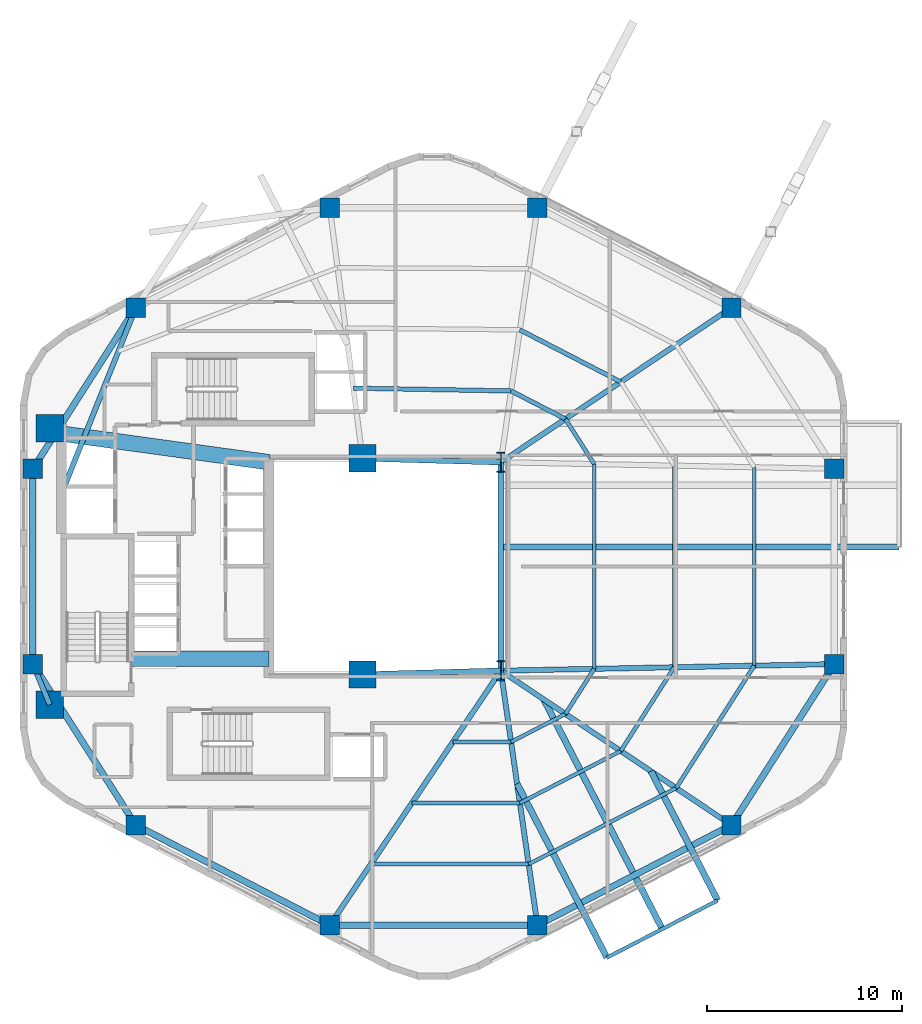
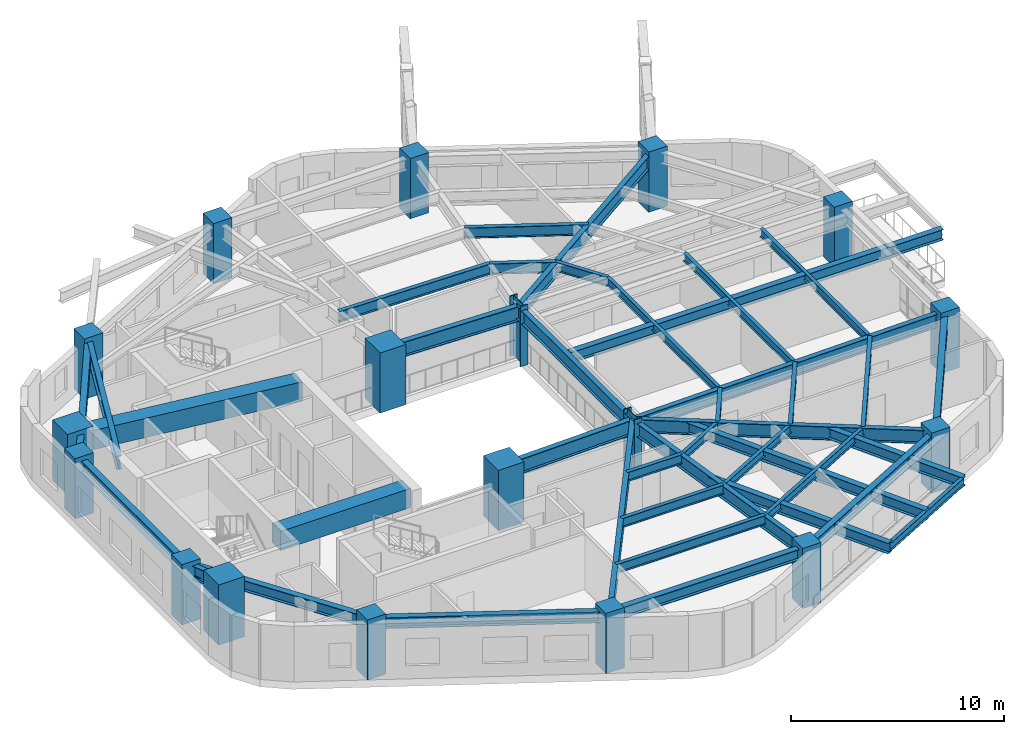
# One storey, part 1 of 9: 40 beams, 18 columns.
"""IFC4 building model written with IfcOpenShell, lengths in metres."""

from ifc_helpers import new_model, si_unit, direction, frame, origin, origin_2d, place, context, subcontext, project, spatial, rectangle, i_section, extrude, material, material_profile, profile_set, type_object, element, save


model = new_model("IFC4")

# Units and contexts
model_context = context("Model", 3, precision=1e-05, world=origin(), true_north=direction((0.0, 1.0)))
body_context = subcontext(model_context, "Body", "Model", "MODEL_VIEW")
ifc_project = project(units=[si_unit("LENGTHUNIT", "METRE"), si_unit("AREAUNIT", "SQUARE_METRE"), si_unit("VOLUMEUNIT", "CUBIC_METRE"), si_unit("PLANEANGLEUNIT", "RADIAN"), si_unit("MASSUNIT", "GRAM", prefix="KILO"), si_unit("THERMODYNAMICTEMPERATUREUNIT", "KELVIN"), si_unit("POWERUNIT", "WATT")], contexts=[model_context])

# Site, building, storey
site_placement = place(None, origin())
site = spatial("IfcSite", under=ifc_project, at=site_placement, CompositionType="ELEMENT")
building_placement = place(site_placement, origin())
building = spatial("IfcBuilding", under=site, at=building_placement, Name="Skarre Station Tower", CompositionType="ELEMENT")
storey_placement = place(building_placement, frame((0.0, 0.0, 101.550048828125)))
storey = spatial("IfcBuildingStorey", under=building, at=storey_placement, Name="L26", CompositionType="ELEMENT", Elevation=101.550048828125)

# Columns
ifc_material_1 = material(Name="Concrete C60/75", Category="concrete")
ifc_material_profile_1 = material_profile(ifc_material_1, rectangle(XDim=1.0, YDim=1.0, at=origin_2d()), Name="Concrete C60/75")
ifc_profile_set_1 = profile_set([ifc_material_profile_1], Name="Concrete C60/75")
column_type_1 = type_object("IfcColumnType", Name="RC Structural Column RC-COL-1000X1000", PredefinedType="COLUMN", material=ifc_profile_set_1)
for number, where, z_axis, x_axis, name in (
    (1, (51.291015625, 37.277099609375, 0.0), (0.0, 0.0, 1.0), (1.0, 0.0, 0.0), "L26 Zone 2 Perimeter Column F0C1"),
    (2, (41.3310546875, 42.41796875, 0.0), (0.0, 0.0, 1.0), (1.0, 0.0, 0.0), "L26 Zone 2 Perimeter Column F0C2"),
    (3, (30.6689453125, 42.41796875, 0.0), (0.0, 0.0, 1.0), (1.0, 0.0, 0.0), "L26 Zone 2 Perimeter Column F1C1"),
    (4, (20.708984375, 37.277099609375, 0.0), (0.0, 0.0, 1.0), (1.0, 0.0, 0.0), "L26 Zone 2 Perimeter Column F1C2"),
    (5, (15.431884765625, 29.010986328125, 0.0), (0.0, 0.0, 1.0), (1.0, 0.0, 0.0), "L26 Zone 2 Perimeter Column F2C1"),
    (6, (15.431884765625, 18.989013671875, 0.0), (0.0, 0.0, 1.0), (1.0, 0.0, 0.0), "L26 Zone 2 Perimeter Column F2C2"),
    (7, (20.708984375, 10.722900390625, 0.0), (0.0, 0.0, 1.0), (1.0, 0.0, 0.0), "L26 Zone 2 Perimeter Column F3C1"),
    (8, (30.6689453125, 5.58203125, 0.0), (0.0, 0.0, 1.0), (1.0, 0.0, 0.0), "L26 Zone 2 Perimeter Column F3C2"),
    (9, (41.3310546875, 5.58203125, 0.0), (0.0, 0.0, 1.0), (1.0, 0.0, 0.0), "L26 Zone 2 Perimeter Column F4C1"),
    (10, (51.291015625, 10.722900390625, 0.0), (0.0, 0.0, 1.0), (1.0, 0.0, 0.0), "L26 Zone 2 Perimeter Column F4C2"),
    (11, (56.568115234375, 18.989013671875, 0.0), (0.0, 0.0, 1.0), (1.0, 0.0, 0.0), "L26 Zone 2 Perimeter Column F5C1"),
    (12, (56.568115234375, 29.010986328125, 0.0), (0.0, 0.0, 1.0), (1.0, 0.0, 0.0), "L26 Zone 2 Perimeter Column F5C2"),
):
    element("IfcColumn", number, at=place(storey_placement, frame(where, z_axis=z_axis, x_axis=x_axis)), inside=storey, type_object=column_type_1, Name=name, PredefinedType="COLUMN", context=body_context, shape_type="SweptSolid", body=[
        extrude(rectangle(XDim=1.0, YDim=1.0, at=origin_2d()), origin(), (0.0, 0.0, 1.0), 3.449951171875),
    ])
ifc_material_2 = material(Name="Concrete C70/85", Category="concrete")
ifc_material_profile_2 = material_profile(ifc_material_2, rectangle(XDim=1.39990234375, YDim=1.39990234375, at=origin_2d()), Name="Concrete C70/85")
ifc_profile_set_2 = profile_set([ifc_material_profile_2], Name="Concrete C70/85")
column_type_2 = type_object("IfcColumnType", Name="RC Structural Column RC-COL-1400X1400", PredefinedType="COLUMN", material=ifc_profile_set_2)
for number, where, z_axis, x_axis, name in (
    (13, (16.300048828125, 16.89990234375, 0.0), (0.0, 0.0, 1.0), (1.0, 0.0, 0.0), "L26 Core Column CC-SW"),
    (14, (16.300048828125, 31.10009765625, 0.0), (0.0, 0.0, 1.0), (1.0, 0.0, 0.0), "L26 Core Column CC-NW"),
    (15, (32.35009765625, 18.449951171875, 0.0), (0.0, 0.0, 1.0), (1.0, 0.0, 0.0), "L26 Core Column CC-SE"),
    (16, (32.35009765625, 29.550048828125, 0.0), (0.0, 0.0, 1.0), (1.0, 0.0, 0.0), "L26 Core Column CC-NE"),
):
    element("IfcColumn", number, at=place(storey_placement, frame(where, z_axis=z_axis, x_axis=x_axis)), inside=storey, type_object=column_type_2, Name=name, PredefinedType="COLUMN", context=body_context, shape_type="SweptSolid", body=[
        extrude(rectangle(XDim=1.39990234375, YDim=1.39990234375, at=origin_2d()), origin(), (0.0, 0.0, 1.0), 3.449951171875),
    ])
ifc_material_3 = material(Name="Steel ASTM A913 Grade 65", Category="steel")
ifc_material_profile_3 = material_profile(ifc_material_3, i_section(OverallWidth=0.409912109375, OverallDepth=1.041015625, WebThickness=0.031005859375, FlangeThickness=0.055908203125, at=origin_2d()), Name="Steel ASTM A913 Grade 65")
ifc_profile_set_3 = profile_set([ifc_material_profile_3], Name="Steel ASTM A913 Grade 65")
column_type_3 = type_object("IfcColumnType", Name="Steel Column W40X397", PredefinedType="COLUMN", material=ifc_profile_set_3)
for number, where, z_axis, x_axis, name in (
    (17, (39.449951171875, 18.64990234375, 0.0), (0.0, 0.0, 1.0), (1.0, 0.0, 0.0), "L26 Atrium Spine Column AC-SE"),
    (18, (39.449951171875, 29.35009765625, 0.0), (0.0, 0.0, 1.0), (1.0, 0.0, 0.0), "L26 Atrium Spine Column AC-NE"),
):
    element("IfcColumn", number, at=place(storey_placement, frame(where, z_axis=z_axis, x_axis=x_axis)), inside=storey, type_object=column_type_3, Name=name, PredefinedType="COLUMN", context=body_context, shape_type="SweptSolid", body=[
        extrude(i_section(OverallWidth=0.409912109375, OverallDepth=1.041015625, WebThickness=0.031005859375, FlangeThickness=0.055908203125, at=origin_2d()), origin(), (0.0, 0.0, 1.0), 3.449951171875),
    ])

# Beams
ifc_material_profile_4 = material_profile(ifc_material_2, rectangle(XDim=0.800048828125, YDim=1.10009765625, at=origin_2d()), Name="Concrete C70/85")
ifc_profile_set_4 = profile_set([ifc_material_profile_4], Name="Concrete C70/85")
beam_type_1 = type_object("IfcBeamType", Name="RC Core Coupling Lintel 800x1100", PredefinedType="LINTEL", material=ifc_profile_set_4)
beam_1_placement = place(storey_placement, frame((20.489990234375, 19.260009765625, 2.639892578125), z_axis=(1.0, 0.0, 0.0), x_axis=(0.0, 1.0, 0.0)))
element("IfcBeam", 19, at=beam_1_placement, inside=storey, type_object=beam_type_1, Name="L26 South Core Coupling Lintel", PredefinedType="LINTEL", context=body_context, shape_type="SweptSolid", body=[
    extrude(rectangle(XDim=0.800048828125, YDim=1.10009765625, at=origin_2d()), origin(), (0.0, 0.0, 1.0), 7.06005859375),
])
beam_2_placement = place(storey_placement, frame((17.050048828125, 30.800048828125, 2.639892578125), z_axis=(0.990599723633, -0.136792498109, 0.0), x_axis=(0.136792498109, 0.990599723633, 0.0)))
element("IfcBeam", 20, at=beam_2_placement, inside=storey, type_object=beam_type_1, Name="L26 North Core Coupling Lintel", PredefinedType="LINTEL", context=body_context, shape_type="SweptSolid", body=[
    extrude(rectangle(XDim=0.800048828125, YDim=1.10009765625, at=origin_2d()), origin(), (0.0, 0.0, 1.0), 10.599609375),
])
ifc_material_4 = material(Name="Steel ASTM A992 Grade 50", Category="steel")
ifc_material_profile_5 = material_profile(ifc_material_4, i_section(OverallWidth=0.323974609375, OverallDepth=0.611083984375, WebThickness=0.012939453125, FlangeThickness=0.01904296875, at=origin_2d()), Name="Steel ASTM A992 Grade 50")
ifc_profile_set_5 = profile_set([ifc_material_profile_5], Name="Steel ASTM A992 Grade 50")
beam_type_2 = type_object("IfcBeamType", Name="Steel Beam W24X104", PredefinedType="BEAM", material=ifc_profile_set_5)
beam_3_placement = place(storey_placement, frame((39.449951171875, 25.001953125, 2.780029296875), z_axis=(1.0, 0.0, 0.0), x_axis=(0.0, 1.0, 0.0)))
element("IfcBeam", 21, at=beam_3_placement, inside=storey, type_object=beam_type_2, Name="L26 SG-1-L27 Outrigger Beam 2", PredefinedType="BEAM", context=body_context, shape_type="SweptSolid", body=[
    extrude(i_section(OverallWidth=0.323974609375, OverallDepth=0.611083984375, WebThickness=0.012939453125, FlangeThickness=0.01904296875, at=origin_2d()), origin(), (0.0, 0.0, 1.0), 20.427978515625),
])
beam_4_placement = place(storey_placement, frame((41.655029296875, 17.174072265625, 2.800048828125), z_axis=(0.458663551569, -0.888610008081, 0.0), x_axis=(0.888610008081, 0.458663551569, 0.0)))
element("IfcBeam", 22, at=beam_4_placement, inside=storey, type_object=beam_type_2, Name="L26 TB-L27-F4 Center Outrigger Beam", PredefinedType="BEAM", context=body_context, shape_type="SweptSolid", body=[
    extrude(i_section(OverallWidth=0.323974609375, OverallDepth=0.611083984375, WebThickness=0.012939453125, FlangeThickness=0.01904296875, at=origin_2d()), origin(), (0.0, 0.0, 1.0), 13.262451171875),
])
beam_5_placement = place(storey_placement, frame((40.284912109375, 12.85009765625, 2.800048828125), z_axis=(0.458683146358, -0.888599893792, 0.0), x_axis=(0.888599893792, 0.458683146358, 0.0)))
element("IfcBeam", 23, at=beam_5_placement, inside=storey, type_object=beam_type_2, Name="L26 TB-L27-F4 Outrigger Beam 1", PredefinedType="BEAM", context=body_context, shape_type="SweptSolid", body=[
    extrude(i_section(OverallWidth=0.323974609375, OverallDepth=0.611083984375, WebThickness=0.012939453125, FlangeThickness=0.01904296875, at=origin_2d()), origin(), (0.0, 0.0, 1.0), 10.048583984375),
])
beam_6_placement = place(storey_placement, frame((47.156982421875, 13.490966796875, 2.800048828125), z_axis=(0.458648750807, -0.888617647463, 0.0), x_axis=(0.888617647463, 0.458648750807, 0.0)))
element("IfcBeam", 24, at=beam_6_placement, inside=storey, type_object=beam_type_2, Name="L26 TB-L27-F4 Outrigger Beam 2", PredefinedType="BEAM", context=body_context, shape_type="SweptSolid", body=[
    extrude(i_section(OverallWidth=0.323974609375, OverallDepth=0.611083984375, WebThickness=0.012939453125, FlangeThickness=0.01904296875, at=origin_2d()), origin(), (0.0, 0.0, 1.0), 7.465576171875),
])
ifc_material_profile_6 = material_profile(ifc_material_4, i_section(OverallWidth=0.26806640625, OverallDepth=0.77001953125, WebThickness=0.01611328125, FlangeThickness=0.02490234375, at=origin_2d()), Name="Steel ASTM A992 Grade 50")
ifc_profile_set_6 = profile_set([ifc_material_profile_6], Name="Steel ASTM A992 Grade 50")
beam_type_3 = type_object("IfcBeamType", Name="Steel Beam W30X132", PredefinedType="BEAM", material=ifc_profile_set_6)
beam_7_placement = place(storey_placement, frame((39.449951171875, 18.64990234375, 2.804931640625), z_axis=(0.0, 1.0, 0.0), x_axis=(-1.0, 0.0, 0.0)))
element("IfcBeam", 25, at=beam_7_placement, inside=storey, type_object=beam_type_3, Name="L26 Atrium East Edge Girder", PredefinedType="BEAM", context=body_context, shape_type="SweptSolid", body=[
    extrude(i_section(OverallWidth=0.26806640625, OverallDepth=0.77001953125, WebThickness=0.01611328125, FlangeThickness=0.02490234375, at=origin_2d()), origin(), (0.0, 0.0, 1.0), 10.7001953125),
])
beam_8_placement = place(storey_placement, frame((39.449951171875, 29.35009765625, 2.804931640625), z_axis=(0.830981218317, 0.556300471692, 0.0), x_axis=(-0.556300471692, 0.830981218317, 0.0)))
element("IfcBeam", 26, at=beam_8_placement, inside=storey, type_object=beam_type_3, Name="L26 Radial Floor Girder F0C1", PredefinedType="BEAM", context=body_context, shape_type="SweptSolid", body=[
    extrude(i_section(OverallWidth=0.26806640625, OverallDepth=0.77001953125, WebThickness=0.01611328125, FlangeThickness=0.02490234375, at=origin_2d()), origin(), (0.0, 0.0, 1.0), 14.24951171875),
])
beam_9_placement = place(storey_placement, frame((17.010009765625, 28.0, 2.804931640625), z_axis=(0.370366288946, 0.928885790618, 0.0), x_axis=(-0.928885790618, 0.370366288946, 0.0)))
element("IfcBeam", 27, at=beam_9_placement, inside=storey, type_object=beam_type_3, Name="L26 Radial Floor Girder F1C2", PredefinedType="BEAM", context=body_context, shape_type="SweptSolid", body=[
    extrude(i_section(OverallWidth=0.26806640625, OverallDepth=0.77001953125, WebThickness=0.01611328125, FlangeThickness=0.02490234375, at=origin_2d()), origin(), (0.0, 0.0, 1.0), 9.9873046875),
])
beam_10_placement = place(storey_placement, frame((16.300048828125, 16.89990234375, 2.804931640625), z_axis=(-0.383749333092, 0.923437301256, 0.0), x_axis=(-0.923437301256, -0.383749333092, 0.0)))
element("IfcBeam", 28, at=beam_10_placement, inside=storey, type_object=beam_type_3, Name="L26 Radial Floor Girder F2C2", PredefinedType="BEAM", context=body_context, shape_type="SweptSolid", body=[
    extrude(i_section(OverallWidth=0.26806640625, OverallDepth=0.77001953125, WebThickness=0.01611328125, FlangeThickness=0.02490234375, at=origin_2d()), origin(), (0.0, 0.0, 1.0), 2.26220703125),
])
beam_11_placement = place(storey_placement, frame((39.449951171875, 18.64990234375, 2.804931640625), z_axis=(-0.55773464691, -0.830019315219, 0.0), x_axis=(0.830019315219, -0.55773464691, 0.0)))
element("IfcBeam", 29, at=beam_11_placement, inside=storey, type_object=beam_type_3, Name="L26 Radial Floor Girder F3C2", PredefinedType="BEAM", context=body_context, shape_type="SweptSolid", body=[
    extrude(i_section(OverallWidth=0.26806640625, OverallDepth=0.77001953125, WebThickness=0.01611328125, FlangeThickness=0.02490234375, at=origin_2d()), origin(), (0.0, 0.0, 1.0), 15.744140625),
])
beam_12_placement = place(storey_placement, frame((39.449951171875, 18.64990234375, 2.804931640625), z_axis=(0.142480121776, -0.989797663616, 0.0), x_axis=(0.989797663616, 0.142480121776, 0.0)))
element("IfcBeam", 30, at=beam_12_placement, inside=storey, type_object=beam_type_3, Name="L26 Radial Floor Girder F4C1", PredefinedType="BEAM", context=body_context, shape_type="SweptSolid", body=[
    extrude(i_section(OverallWidth=0.26806640625, OverallDepth=0.77001953125, WebThickness=0.01611328125, FlangeThickness=0.02490234375, at=origin_2d()), origin(), (0.0, 0.0, 1.0), 13.20263671875),
])
beam_13_placement = place(storey_placement, frame((39.449951171875, 18.64990234375, 2.804931640625), z_axis=(0.830981218317, -0.556300471692, 0.0), x_axis=(0.556300471692, 0.830981218317, 0.0)))
element("IfcBeam", 31, at=beam_13_placement, inside=storey, type_object=beam_type_3, Name="L26 Radial Floor Girder F4C2", PredefinedType="BEAM", context=body_context, shape_type="SweptSolid", body=[
    extrude(i_section(OverallWidth=0.26806640625, OverallDepth=0.77001953125, WebThickness=0.01611328125, FlangeThickness=0.02490234375, at=origin_2d()), origin(), (0.0, 0.0, 1.0), 14.24951171875),
])
beam_14_placement = place(storey_placement, frame((39.449951171875, 18.64990234375, 2.804931640625), z_axis=(0.999803839107, 0.019806143142, 0.0), x_axis=(-0.019806143142, 0.999803839107, 0.0)))
element("IfcBeam", 32, at=beam_14_placement, inside=storey, type_object=beam_type_3, Name="L26 Radial Floor Girder F5C1", PredefinedType="BEAM", context=body_context, shape_type="SweptSolid", body=[
    extrude(i_section(OverallWidth=0.26806640625, OverallDepth=0.77001953125, WebThickness=0.01611328125, FlangeThickness=0.02490234375, at=origin_2d()), origin(), (0.0, 0.0, 1.0), 17.12158203125),
])
ifc_material_profile_7 = material_profile(ifc_material_4, i_section(OverallWidth=0.2919921875, OverallDepth=0.85888671875, WebThickness=0.01708984375, FlangeThickness=0.031005859375, at=origin_2d()), Name="Steel ASTM A992 Grade 50")
ifc_profile_set_7 = profile_set([ifc_material_profile_7], Name="Steel ASTM A992 Grade 50")
beam_type_4 = type_object("IfcBeamType", Name="Steel Beam W33X169", PredefinedType="BEAM", material=ifc_profile_set_7)
for number, where, z_axis, x_axis, name in (
    (33, (32.35009765625, 18.449951171875, 2.760009765625), (0.999603666405, 0.028151556095, 0.0), (-0.028151556095, 0.999603666405, 0.0), "L26 Atrium South Edge Girder"),
    (34, (32.35009765625, 29.550048828125, 2.760009765625), (0.999603666405, -0.028151556095, 0.0), (0.028151556095, 0.999603666405, 0.0), "L26 Atrium North Edge Girder"),
):
    element("IfcBeam", number, at=place(storey_placement, frame(where, z_axis=z_axis, x_axis=x_axis)), inside=storey, type_object=beam_type_4, Name=name, PredefinedType="BEAM", context=body_context, shape_type="SweptSolid", body=[
        extrude(i_section(OverallWidth=0.2919921875, OverallDepth=0.85888671875, WebThickness=0.01708984375, FlangeThickness=0.031005859375, at=origin_2d()), origin(), (0.0, 0.0, 1.0), 7.102783203125),
    ])
ifc_material_profile_8 = material_profile(ifc_material_4, i_section(OverallWidth=0.19091796875, OverallDepth=0.45703125, WebThickness=0.009033203125, FlangeThickness=0.013916015625, at=origin_2d()), Name="Steel ASTM A992 Grade 50")
ifc_profile_set_8 = profile_set([ifc_material_profile_8], Name="Steel ASTM A992 Grade 50")
beam_type_5 = type_object("IfcBeamType", Name="Steel Joist W18X50", PredefinedType="JOIST", material=ifc_profile_set_8)
beam_15_placement = place(storey_placement, frame((39.97705078125, 14.990966796875, 2.9609375), z_axis=(0.88861042596, 0.458662741975, 0.0), x_axis=(-0.458662741975, 0.88861042596, 0.0)))
element("IfcBeam", 35, at=beam_15_placement, inside=storey, type_object=beam_type_5, Name="L26 Auxiliary Composite Joist 13", PredefinedType="JOIST", context=body_context, shape_type="SweptSolid", body=[
    extrude(i_section(OverallWidth=0.19091796875, OverallDepth=0.45703125, WebThickness=0.009033203125, FlangeThickness=0.013916015625, at=origin_2d()), origin(), (0.0, 0.0, 1.0), 3.13720703125),
])
beam_16_placement = place(storey_placement, frame((40.427978515625, 11.85498046875, 2.9609375), z_axis=(0.888614598919, 0.458654657218, 0.0), x_axis=(-0.458654657218, 0.888614598919, 0.0)))
element("IfcBeam", 36, at=beam_16_placement, inside=storey, type_object=beam_type_5, Name="L26 Auxiliary Composite Joist 14", PredefinedType="JOIST", context=body_context, shape_type="SweptSolid", body=[
    extrude(i_section(OverallWidth=0.19091796875, OverallDepth=0.45703125, WebThickness=0.009033203125, FlangeThickness=0.013916015625, at=origin_2d()), origin(), (0.0, 0.0, 1.0), 5.828125),
])
beam_17_placement = place(storey_placement, frame((40.8798828125, 8.718017578125, 2.9609375), z_axis=(0.888603699553, 0.45867577344, 0.0), x_axis=(-0.45867577344, 0.888603699553, 0.0)))
element("IfcBeam", 37, at=beam_17_placement, inside=storey, type_object=beam_type_5, Name="L26 Auxiliary Composite Joist 15", PredefinedType="JOIST", context=body_context, shape_type="SweptSolid", body=[
    extrude(i_section(OverallWidth=0.19091796875, OverallDepth=0.45703125, WebThickness=0.009033203125, FlangeThickness=0.013916015625, at=origin_2d()), origin(), (0.0, 0.0, 1.0), 8.51806640625),
])
beam_18_placement = place(storey_placement, frame((44.242919921875, 18.7451171875, 2.9609375), z_axis=(0.0, 1.0, 0.0), x_axis=(-1.0, 0.0, 0.0)))
element("IfcBeam", 38, at=beam_18_placement, inside=storey, type_object=beam_type_5, Name="L26 Auxiliary Composite Joist 19", PredefinedType="JOIST", context=body_context, shape_type="SweptSolid", body=[
    extrude(i_section(OverallWidth=0.19091796875, OverallDepth=0.45703125, WebThickness=0.009033203125, FlangeThickness=0.013916015625, at=origin_2d()), origin(), (0.0, 0.0, 1.0), 10.509765625),
])
beam_19_placement = place(storey_placement, frame((48.35107421875, 18.825927734375, 2.9609375), z_axis=(0.0, 1.0, 0.0), x_axis=(-1.0, 0.0, 0.0)))
element("IfcBeam", 39, at=beam_19_placement, inside=storey, type_object=beam_type_5, Name="L26 Auxiliary Composite Joist 20", PredefinedType="JOIST", context=body_context, shape_type="SweptSolid", body=[
    extrude(i_section(OverallWidth=0.19091796875, OverallDepth=0.45703125, WebThickness=0.009033203125, FlangeThickness=0.013916015625, at=origin_2d()), origin(), (0.0, 0.0, 1.0), 10.34814453125),
])
beam_20_placement = place(storey_placement, frame((52.4599609375, 18.907958984375, 2.9609375), z_axis=(0.0, 1.0, 0.0), x_axis=(-1.0, 0.0, 0.0)))
element("IfcBeam", 40, at=beam_20_placement, inside=storey, type_object=beam_type_5, Name="L26 Auxiliary Composite Joist 21", PredefinedType="JOIST", context=body_context, shape_type="SweptSolid", body=[
    extrude(i_section(OverallWidth=0.19091796875, OverallDepth=0.45703125, WebThickness=0.009033203125, FlangeThickness=0.013916015625, at=origin_2d()), origin(), (0.0, 0.0, 1.0), 10.18408203125),
])
beam_21_placement = place(storey_placement, frame((44.89404296875, 3.9208984375, 2.876953125), z_axis=(0.888569497845, 0.458742027178, 0.0), x_axis=(-0.458742027178, 0.888569497845, 0.0)))
element("IfcBeam", 41, at=beam_21_placement, inside=storey, type_object=beam_type_5, Name="L26 TB-L27-F4 Rim Beam", PredefinedType="JOIST", context=body_context, shape_type="SweptSolid", body=[
    extrude(i_section(OverallWidth=0.19091796875, OverallDepth=0.45703125, WebThickness=0.009033203125, FlangeThickness=0.013916015625, at=origin_2d()), origin(), (0.0, 0.0, 1.0), 6.400146484375),
])
ifc_material_profile_9 = material_profile(ifc_material_4, i_section(OverallWidth=0.208984375, OverallDepth=0.532958984375, WebThickness=0.010009765625, FlangeThickness=0.01611328125, at=origin_2d()), Name="Steel ASTM A992 Grade 50")
ifc_profile_set_9 = profile_set([ifc_material_profile_9], Name="Steel ASTM A992 Grade 50")
beam_type_6 = type_object("IfcBeamType", Name="Steel Joist W21X62", PredefinedType="JOIST", material=ifc_profile_set_9)
beam_22_placement = place(storey_placement, frame((36.990966796875, 14.990966796875, 2.924072265625), z_axis=(1.0, 0.0, 0.0), x_axis=(0.0, 1.0, 0.0)))
element("IfcBeam", 42, at=beam_22_placement, inside=storey, type_object=beam_type_6, Name="L26 Auxiliary Composite Joist 10", PredefinedType="JOIST", context=body_context, shape_type="SweptSolid", body=[
    extrude(i_section(OverallWidth=0.208984375, OverallDepth=0.532958984375, WebThickness=0.010009765625, FlangeThickness=0.01611328125, at=origin_2d()), origin(), (0.0, 0.0, 1.0), 2.986083984375),
])
beam_23_placement = place(storey_placement, frame((34.884033203125, 11.85498046875, 2.924072265625), z_axis=(1.0, 0.0, 0.0), x_axis=(0.0, 1.0, 0.0)))
element("IfcBeam", 43, at=beam_23_placement, inside=storey, type_object=beam_type_6, Name="L26 Auxiliary Composite Joist 11", PredefinedType="JOIST", context=body_context, shape_type="SweptSolid", body=[
    extrude(i_section(OverallWidth=0.208984375, OverallDepth=0.532958984375, WebThickness=0.010009765625, FlangeThickness=0.01611328125, at=origin_2d()), origin(), (0.0, 0.0, 1.0), 5.5439453125),
])
beam_24_placement = place(storey_placement, frame((32.77587890625, 8.718017578125, 2.924072265625), z_axis=(1.0, 0.0, 0.0), x_axis=(0.0, 1.0, 0.0)))
element("IfcBeam", 44, at=beam_24_placement, inside=storey, type_object=beam_type_6, Name="L26 Auxiliary Composite Joist 12", PredefinedType="JOIST", context=body_context, shape_type="SweptSolid", body=[
    extrude(i_section(OverallWidth=0.208984375, OverallDepth=0.532958984375, WebThickness=0.010009765625, FlangeThickness=0.01611328125, at=origin_2d()), origin(), (0.0, 0.0, 1.0), 8.10400390625),
])
beam_25_placement = place(storey_placement, frame((42.764892578125, 16.429931640625, 2.924072265625), z_axis=(0.538099948257, 0.84288103887, 0.0), x_axis=(-0.84288103887, 0.538099948257, 0.0)))
element("IfcBeam", 45, at=beam_25_placement, inside=storey, type_object=beam_type_6, Name="L26 Auxiliary Composite Joist 16", PredefinedType="JOIST", context=body_context, shape_type="SweptSolid", body=[
    extrude(i_section(OverallWidth=0.208984375, OverallDepth=0.532958984375, WebThickness=0.010009765625, FlangeThickness=0.01611328125, at=origin_2d()), origin(), (0.0, 0.0, 1.0), 2.746826171875),
])
beam_26_placement = place(storey_placement, frame((45.60693359375, 14.528076171875, 2.924072265625), z_axis=(0.538151254938, 0.842848282201, 0.0), x_axis=(-0.842848282201, 0.538151254938, 0.0)))
element("IfcBeam", 46, at=beam_26_placement, inside=storey, type_object=beam_type_6, Name="L26 Auxiliary Composite Joist 17", PredefinedType="JOIST", context=body_context, shape_type="SweptSolid", body=[
    extrude(i_section(OverallWidth=0.208984375, OverallDepth=0.532958984375, WebThickness=0.010009765625, FlangeThickness=0.01611328125, at=origin_2d()), origin(), (0.0, 0.0, 1.0), 5.09912109375),
])
beam_27_placement = place(storey_placement, frame((48.448974609375, 12.625, 2.924072265625), z_axis=(0.53809140179, 0.842886494921, 0.0), x_axis=(-0.842886494921, 0.53809140179, 0.0)))
element("IfcBeam", 47, at=beam_27_placement, inside=storey, type_object=beam_type_6, Name="L26 Auxiliary Composite Joist 18", PredefinedType="JOIST", context=body_context, shape_type="SweptSolid", body=[
    extrude(i_section(OverallWidth=0.208984375, OverallDepth=0.532958984375, WebThickness=0.010009765625, FlangeThickness=0.01611328125, at=origin_2d()), origin(), (0.0, 0.0, 1.0), 7.4541015625),
])
beam_28_placement = place(storey_placement, frame((44.242919921875, 29.2548828125, 2.924072265625), z_axis=(-0.538099948257, 0.84288103887, 0.0), x_axis=(-0.84288103887, -0.538099948257, 0.0)))
element("IfcBeam", 48, at=beam_28_placement, inside=storey, type_object=beam_type_6, Name="L26 Auxiliary Composite Joist 22", PredefinedType="JOIST", context=body_context, shape_type="SweptSolid", body=[
    extrude(i_section(OverallWidth=0.208984375, OverallDepth=0.532958984375, WebThickness=0.010009765625, FlangeThickness=0.01611328125, at=origin_2d()), origin(), (0.0, 0.0, 1.0), 2.746826171875),
])
ifc_material_profile_10 = material_profile(ifc_material_4, i_section(OverallWidth=0.22802734375, OverallDepth=0.60791015625, WebThickness=0.010986328125, FlangeThickness=0.01708984375, at=origin_2d()), Name="Steel ASTM A992 Grade 50")
ifc_profile_set_10 = profile_set([ifc_material_profile_10], Name="Steel ASTM A992 Grade 50")
beam_type_7 = type_object("IfcBeamType", Name="Steel Joist W24X76", PredefinedType="JOIST", material=ifc_profile_set_10)
beam_29_placement = place(storey_placement, frame((42.764892578125, 31.570068359375, 2.885986328125), z_axis=(-0.88861042596, 0.458662741975, 0.0), x_axis=(-0.458662741975, -0.88861042596, 0.0)))
element("IfcBeam", 49, at=beam_29_placement, inside=storey, type_object=beam_type_7, Name="L26 Secondary Floor Joist 1", PredefinedType="JOIST", context=body_context, shape_type="SweptSolid", body=[
    extrude(i_section(OverallWidth=0.22802734375, OverallDepth=0.60791015625, WebThickness=0.010986328125, FlangeThickness=0.01708984375, at=origin_2d()), origin(), (0.0, 0.0, 1.0), 3.13720703125),
])
beam_30_placement = place(storey_placement, frame((45.60693359375, 33.471923828125, 2.885986328125), z_axis=(-0.888614598919, 0.458654657218, 0.0), x_axis=(-0.458654657218, -0.888614598919, 0.0)))
element("IfcBeam", 50, at=beam_30_placement, inside=storey, type_object=beam_type_7, Name="L26 Secondary Floor Joist 2", PredefinedType="JOIST", context=body_context, shape_type="SweptSolid", body=[
    extrude(i_section(OverallWidth=0.22802734375, OverallDepth=0.60791015625, WebThickness=0.010986328125, FlangeThickness=0.01708984375, at=origin_2d()), origin(), (0.0, 0.0, 1.0), 5.828125),
])
beam_31_placement = place(storey_placement, frame((39.97705078125, 33.009033203125, 2.885986328125), z_axis=(-0.999841846049, 0.01778434396, 0.0), x_axis=(-0.01778434396, -0.999841846049, 0.0)))
element("IfcBeam", 51, at=beam_31_placement, inside=storey, type_object=beam_type_7, Name="L26 Secondary Floor Joist 4", PredefinedType="JOIST", context=body_context, shape_type="SweptSolid", body=[
    extrude(i_section(OverallWidth=0.22802734375, OverallDepth=0.60791015625, WebThickness=0.010986328125, FlangeThickness=0.01708984375, at=origin_2d()), origin(), (0.0, 0.0, 1.0), 8.099365234375),
])
ifc_material_profile_11 = material_profile(ifc_material_4, i_section(OverallWidth=0.327880859375, OverallDepth=0.6279296875, WebThickness=0.01708984375, FlangeThickness=0.028076171875, at=origin_2d()), Name="Steel ASTM A992 Grade 50")
ifc_profile_set_11 = profile_set([ifc_material_profile_11], Name="Steel ASTM A992 Grade 50")
beam_type_8 = type_object("IfcBeamType", Name="Steel Spandrel W24X146", PredefinedType="SPANDREL", material=ifc_profile_set_11)
beam_32_placement = place(storey_placement, frame((20.708984375, 37.277099609375, 2.8759765625), z_axis=(-0.538097547923, -0.842882571251, 0.0), x_axis=(0.842882571251, -0.538097547923, 0.0)))
element("IfcBeam", 52, at=beam_32_placement, inside=storey, type_object=beam_type_8, Name="L26 Facet Spandrel Beam 4", PredefinedType="SPANDREL", context=body_context, shape_type="SweptSolid", body=[
    extrude(i_section(OverallWidth=0.327880859375, OverallDepth=0.6279296875, WebThickness=0.01708984375, FlangeThickness=0.028076171875, at=origin_2d()), origin(), (0.0, 0.0, 1.0), 9.806884765625),
])
beam_33_placement = place(storey_placement, frame((15.431884765625, 29.010986328125, 2.8759765625), z_axis=(0.0, -1.0, 0.0), x_axis=(1.0, 0.0, 0.0)))
element("IfcBeam", 53, at=beam_33_placement, inside=storey, type_object=beam_type_8, Name="L26 Facet Spandrel Beam 5", PredefinedType="SPANDREL", context=body_context, shape_type="SweptSolid", body=[
    extrude(i_section(OverallWidth=0.327880859375, OverallDepth=0.6279296875, WebThickness=0.01708984375, FlangeThickness=0.028076171875, at=origin_2d()), origin(), (0.0, 0.0, 1.0), 10.02197265625),
])
beam_34_placement = place(storey_placement, frame((15.431884765625, 18.989013671875, 2.8759765625), z_axis=(0.538097547923, -0.842882571251, 0.0), x_axis=(0.842882571251, 0.538097547923, 0.0)))
element("IfcBeam", 54, at=beam_34_placement, inside=storey, type_object=beam_type_8, Name="L26 Facet Spandrel Beam 6", PredefinedType="SPANDREL", context=body_context, shape_type="SweptSolid", body=[
    extrude(i_section(OverallWidth=0.327880859375, OverallDepth=0.6279296875, WebThickness=0.01708984375, FlangeThickness=0.028076171875, at=origin_2d()), origin(), (0.0, 0.0, 1.0), 9.806884765625),
])
beam_35_placement = place(storey_placement, frame((20.708984375, 10.722900390625, 2.8759765625), z_axis=(0.888611779493, -0.458660119639, 0.0), x_axis=(0.458660119639, 0.888611779493, 0.0)))
element("IfcBeam", 55, at=beam_35_placement, inside=storey, type_object=beam_type_8, Name="L26 Facet Spandrel Beam 7", PredefinedType="SPANDREL", context=body_context, shape_type="SweptSolid", body=[
    extrude(i_section(OverallWidth=0.327880859375, OverallDepth=0.6279296875, WebThickness=0.01708984375, FlangeThickness=0.028076171875, at=origin_2d()), origin(), (0.0, 0.0, 1.0), 11.20849609375),
])
beam_36_placement = place(storey_placement, frame((30.6689453125, 5.58203125, 2.8759765625), z_axis=(1.0, 0.0, 0.0), x_axis=(0.0, 1.0, 0.0)))
element("IfcBeam", 56, at=beam_36_placement, inside=storey, type_object=beam_type_8, Name="L26 Facet Spandrel Beam 8", PredefinedType="SPANDREL", context=body_context, shape_type="SweptSolid", body=[
    extrude(i_section(OverallWidth=0.327880859375, OverallDepth=0.6279296875, WebThickness=0.01708984375, FlangeThickness=0.028076171875, at=origin_2d()), origin(), (0.0, 0.0, 1.0), 10.662109375),
])
beam_37_placement = place(storey_placement, frame((41.3310546875, 5.58203125, 2.8759765625), z_axis=(0.888611779493, 0.458660119639, 0.0), x_axis=(-0.458660119639, 0.888611779493, 0.0)))
element("IfcBeam", 57, at=beam_37_placement, inside=storey, type_object=beam_type_8, Name="L26 Facet Spandrel Beam 9", PredefinedType="SPANDREL", context=body_context, shape_type="SweptSolid", body=[
    extrude(i_section(OverallWidth=0.327880859375, OverallDepth=0.6279296875, WebThickness=0.01708984375, FlangeThickness=0.028076171875, at=origin_2d()), origin(), (0.0, 0.0, 1.0), 11.20849609375),
])
beam_38_placement = place(storey_placement, frame((51.291015625, 10.722900390625, 2.8759765625), z_axis=(0.538097547923, 0.842882571251, 0.0), x_axis=(-0.842882571251, 0.538097547923, 0.0)))
element("IfcBeam", 58, at=beam_38_placement, inside=storey, type_object=beam_type_8, Name="L26 Facet Spandrel Beam 10", PredefinedType="SPANDREL", context=body_context, shape_type="SweptSolid", body=[
    extrude(i_section(OverallWidth=0.327880859375, OverallDepth=0.6279296875, WebThickness=0.01708984375, FlangeThickness=0.028076171875, at=origin_2d()), origin(), (0.0, 0.0, 1.0), 9.806884765625),
])

save(model, "model.ifc")
